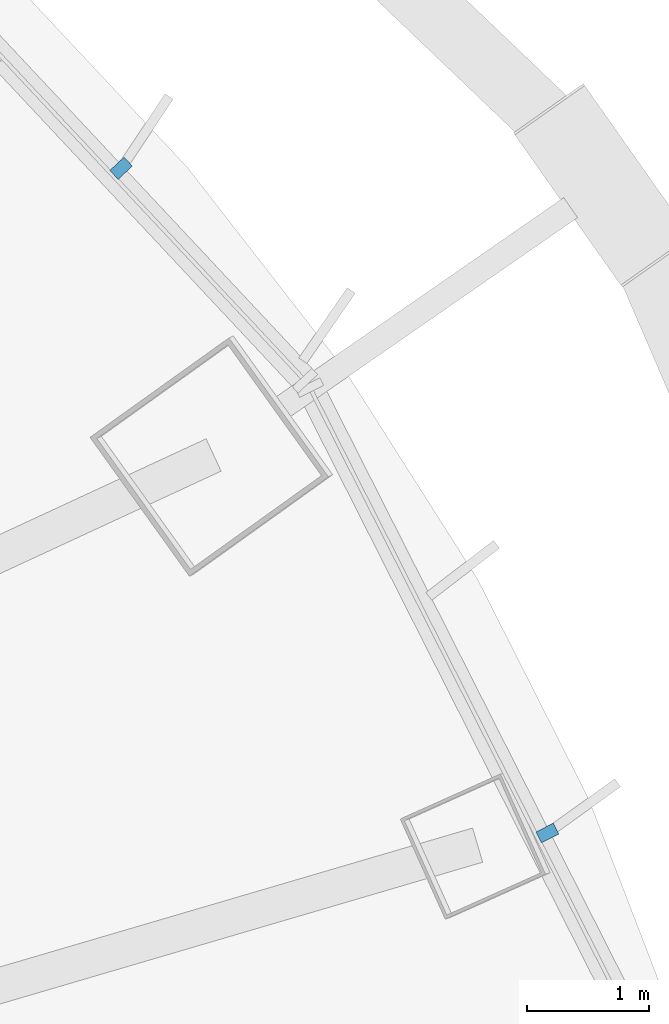
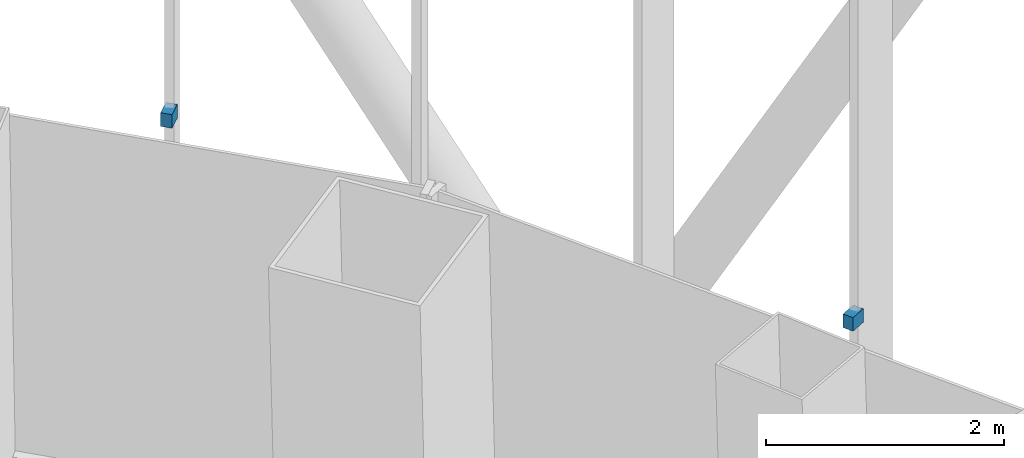
# One storey, part 17 of 21: 2 discrete accessories.
"""IFC4 building model written with IfcOpenShell, lengths in metres."""

from ifc_helpers import new_model, si_unit, direction, frame, origin, origin_2d, place, context, subcontext, project, spatial, rectangle, extrude, material, type_object, element, save


model = new_model("IFC4")

# Units and contexts
model_context = context("Model", 3, precision=1e-05, world=origin(), true_north=direction((0.0, 1.0)))
body_context = subcontext(model_context, "Body", "Model", "MODEL_VIEW")
ifc_project = project(units=[si_unit("LENGTHUNIT", "METRE"), si_unit("AREAUNIT", "SQUARE_METRE"), si_unit("VOLUMEUNIT", "CUBIC_METRE"), si_unit("PLANEANGLEUNIT", "RADIAN"), si_unit("MASSUNIT", "GRAM", prefix="KILO")], contexts=[model_context])

# Site, building, storey
site_placement = place(None, origin())
site = spatial("IfcSite", under=ifc_project, at=site_placement, CompositionType="ELEMENT")
building_placement = place(site_placement, origin())
building = spatial("IfcBuilding", under=site, at=building_placement, Name="Siaravel Broadcast Tower", CompositionType="ELEMENT")
storey_placement = place(building_placement, frame((0.0, 0.0, 70.39990234375)))
storey = spatial("IfcBuildingStorey", under=building, at=storey_placement, Name="L16", CompositionType="ELEMENT", Elevation=70.39990234375)

# Discrete accessories
ifc_material = material(Name="Stainless steel 316", Category="steel")
discrete_accessory_type = type_object("IfcDiscreteAccessoryType", Name="Stainless steel fin bracket", PredefinedType="USERDEFINED", material=ifc_material)
for number, where, z_axis, x_axis, name in (
    (1, (25.31201171875, 7.3681640625, 3.68994140625), (0.0, 0.0, 1.0), (0.892392151, 0.451260732, 0.0), "Fin bracket L16-04"),
    (2, (21.81689453125, 12.818359375, 3.68994140625), (0.0, 0.0, 1.0), (0.729805608, 0.683654718, 0.0), "Fin bracket L16-07"),
):
    element("IfcDiscreteAccessory", number, at=place(storey_placement, frame(where, z_axis=z_axis, x_axis=x_axis)), inside=storey, type_object=discrete_accessory_type, Name=name, ObjectType="BRACKET", PredefinedType="USERDEFINED", context=body_context, shape_type="SweptSolid", body=[
        extrude(rectangle(XDim=0.159912109375, YDim=0.10009765625, at=origin_2d()), origin(), (0.0, 0.0, 1.0), 0.139892578125),
    ])

save(model, "model.ifc")
